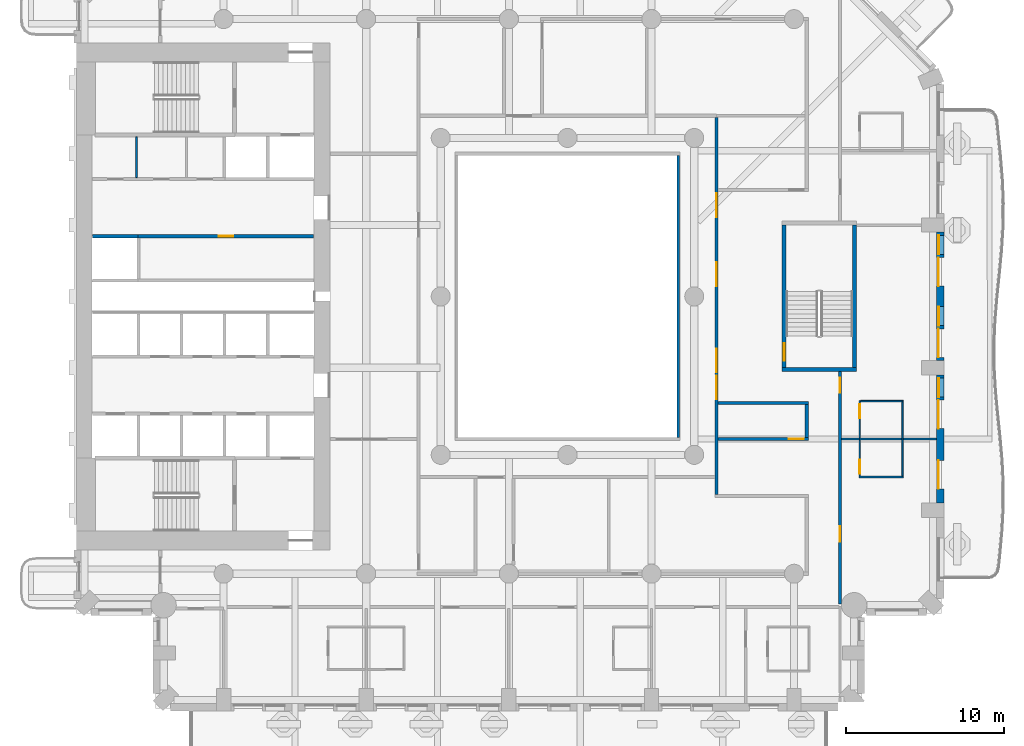
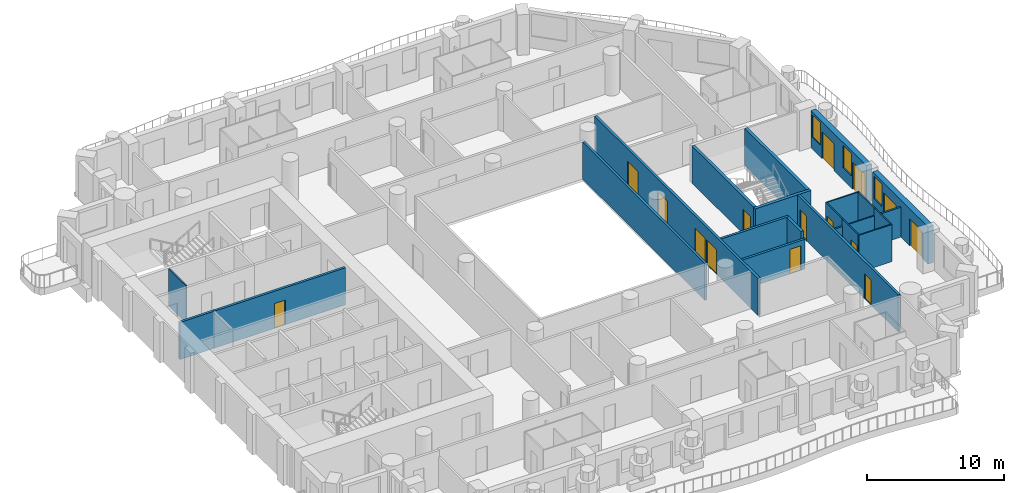
# One storey, part 6 of 19: 23 walls, 15 doors, 3 windows, 18 openings.
"""IFC4 building model written with IfcOpenShell, lengths in metres."""

from ifc_helpers import new_model, si_unit, direction, frame, frame_2d, origin, place, context, subcontext, project, spatial, rectangle, extrude, material, layer, layer_set, type_object, element, fill, save


model = new_model("IFC4")

# Units and contexts
model_context = context("Model", 3, precision=1e-05, world=origin(), true_north=direction((0.0, 1.0)))
body_context = subcontext(model_context, "Body", "Model", "MODEL_VIEW")
ifc_project = project(units=[si_unit("LENGTHUNIT", "METRE"), si_unit("AREAUNIT", "SQUARE_METRE"), si_unit("VOLUMEUNIT", "CUBIC_METRE"), si_unit("PLANEANGLEUNIT", "RADIAN"), si_unit("MASSUNIT", "GRAM", prefix="KILO")], contexts=[model_context])

# Site, building, storey
site_placement = place(None, origin())
site = spatial("IfcSite", under=ifc_project, at=site_placement, CompositionType="ELEMENT")
building_placement = place(site_placement, origin())
building = spatial("IfcBuilding", under=site, at=building_placement, Name="Cypress Arch Tower", CompositionType="ELEMENT")
storey_placement = place(building_placement, frame((0.0, 0.0, 69.89990234375)))
storey = spatial("IfcBuildingStorey", under=building, at=storey_placement, Name="L11", CompositionType="ELEMENT", Elevation=69.89990234375)

# Wall, openings, doors, window
ifc_material_1 = material(Name="Brick (red buff blend)", Category="masonry")
ifc_layer_1 = layer(ifc_material_1, 0.449951171875)
ifc_layer_set_1 = layer_set([ifc_layer_1], Name="Brick pier and spandrel wall BW450")
wall_type_1 = type_object("IfcWallType", Name="Brick pier and spandrel wall BW450", PredefinedType="SOLIDWALL", material=ifc_layer_set_1)
wall_1_placement = place(storey_placement, frame((24.52490234375, -13.050048828125, 0.0), z_axis=(0.0, 0.0, 1.0), x_axis=(0.0, 1.0, 0.0)))
wall_1 = element("IfcWall", 1, at=wall_1_placement, inside=storey, type_object=wall_type_1, Name="Brick wall L11 A06.1", PredefinedType="SOLIDWALL", context=body_context, shape_type="SweptSolid", body=[
    extrude(rectangle(XDim=8.10009765625, YDim=0.449951171875, at=frame_2d((4.050048828125, 0.0))), origin(), (0.0, 0.0, 1.0), 3.300048828125),
])
opening_1_placement = place(wall_1_placement, frame((0.89990234375, 0.0, 0.0)))
opening_1 = element("IfcOpeningElement", 2, at=opening_1_placement, cuts=wall_1, Name="Opening D-L11-A06.1.1", PredefinedType="OPENING", context=body_context, shape_type="SweptSolid", body=[
    extrude(rectangle(XDim=1.800048828125, YDim=2.39990234375, at=frame_2d((0.89990234375, 1.199951171875))), frame((0.0, 0.23486328125, 0.0), z_axis=(0.0, -1.0, 0.0), x_axis=(1.0, 0.0, 0.0)), (0.0, 0.0, 1.0), 0.469970703125),
])
opening_2_placement = place(wall_1_placement, frame((4.699951171875, 0.0, 0.0)))
opening_2 = element("IfcOpeningElement", 3, at=opening_2_placement, cuts=wall_1, Name="Opening D-L11-A06.1.2", PredefinedType="OPENING", context=body_context, shape_type="SweptSolid", body=[
    extrude(rectangle(XDim=1.800048828125, YDim=2.39990234375, at=frame_2d((0.89990234375, 1.199951171875))), frame((0.0, 0.23486328125, 0.0), z_axis=(0.0, -1.0, 0.0), x_axis=(1.0, 0.0, 0.0)), (0.0, 0.0, 1.0), 0.469970703125),
])
opening_3_placement = place(wall_1_placement, frame((6.699951171875, 0.0, 1.050048828125)))
opening_3 = element("IfcOpeningElement", 4, at=opening_3_placement, cuts=wall_1, Name="Opening W120HD", PredefinedType="OPENING", context=body_context, shape_type="SweptSolid", body=[
    extrude(rectangle(XDim=1.199951171875, YDim=2.0, at=frame_2d((0.60009765625, 1.0))), frame((0.0, 0.23486328125, 0.0), z_axis=(0.0, -1.0, 0.0), x_axis=(1.0, 0.0, 0.0)), (0.0, 0.0, 1.0), 0.469970703125),
])
ifc_material_2 = material(Name="Anodised aluminium, bronze finish, laminated low-emissivity double glazing, large-missile impact rated", Category="aluminium")
door_type_1 = type_object("IfcDoorType", Name="Balcony sliding door 1800x2400", OperationType="SLIDING_TO_LEFT", PredefinedType="DOOR", material=ifc_material_2)
door_1_placement = place(opening_1_placement, origin())
door_1 = element("IfcDoor", 5, at=door_1_placement, inside=storey, type_object=door_type_1, Name="Balcony door L11 A06.1.1", OperationType="SLIDING_TO_LEFT", OverallHeight=2.39990234375, OverallWidth=1.800048828125, PredefinedType="DOOR", context=body_context, shape_type="SweptSolid", body=[
    extrude(rectangle(XDim=1.800048828125, YDim=2.39990234375, at=frame_2d((0.89990234375, 1.199951171875))), frame((0.0, 0.1298828125, 0.0), z_axis=(0.0, -1.0, 0.0), x_axis=(1.0, 0.0, 0.0)), (0.0, 0.0, 1.0), 0.050048828125),
])
fill(opening_1, door_1)
door_2_placement = place(opening_2_placement, origin())
door_2 = element("IfcDoor", 6, at=door_2_placement, inside=storey, type_object=door_type_1, Name="Balcony door L11 A06.1.2", OperationType="SLIDING_TO_LEFT", OverallHeight=2.39990234375, OverallWidth=1.800048828125, PredefinedType="DOOR", context=body_context, shape_type="SweptSolid", body=[
    extrude(rectangle(XDim=1.800048828125, YDim=2.39990234375, at=frame_2d((0.89990234375, 1.199951171875))), frame((0.0, 0.1298828125, 0.0), z_axis=(0.0, -1.0, 0.0), x_axis=(1.0, 0.0, 0.0)), (0.0, 0.0, 1.0), 0.050048828125),
])
fill(opening_2, door_2)
ifc_material_3 = material(Name="Anodised aluminium, bronze finish, laminated low-emissivity double glazing, large-missile impact rated", Category="aluminium")
window_type = type_object("IfcWindowType", Name="Window Hotel 1200x2000 debris-rated", PartitioningType="SINGLE_PANEL", PredefinedType="WINDOW", material=ifc_material_3)
window_1_placement = place(opening_3_placement, origin())
window_1 = element("IfcWindow", 7, at=window_1_placement, inside=storey, type_object=window_type, Name="Window L11 A06.1.2", OverallHeight=2.0, OverallWidth=1.199951171875, PartitioningType="SINGLE_PANEL", PredefinedType="WINDOW", context=body_context, shape_type="SweptSolid", body=[
    extrude(rectangle(XDim=1.199951171875, YDim=2.0, at=frame_2d((0.60009765625, 1.0))), frame((0.0, 0.135009765625, 0.0), z_axis=(0.0, -1.0, 0.0), x_axis=(1.0, 0.0, 0.0)), (0.0, 0.0, 1.0), 0.06005859375),
])
fill(opening_3, window_1)

# Wall, openings, doors, windows
wall_2_placement = place(storey_placement, frame((24.52490234375, -4.050048828125, 0.0), z_axis=(0.0, 0.0, 1.0), x_axis=(0.0, 1.0, 0.0)))
wall_2 = element("IfcWall", 8, at=wall_2_placement, inside=storey, type_object=wall_type_1, Name="Brick wall L11 A06.2", PredefinedType="SOLIDWALL", context=body_context, shape_type="SweptSolid", body=[
    extrude(rectangle(XDim=8.10009765625, YDim=0.449951171875, at=frame_2d((4.050048828125, 0.0))), origin(), (0.0, 0.0, 1.0), 3.300048828125),
])
opening_4_placement = place(wall_2_placement, frame((0.199951171875, 0.0, 0.0)))
opening_4 = element("IfcOpeningElement", 9, at=opening_4_placement, cuts=wall_2, Name="Opening D-L11-A06.2.1", PredefinedType="OPENING", context=body_context, shape_type="SweptSolid", body=[
    extrude(rectangle(XDim=1.800048828125, YDim=2.39990234375, at=frame_2d((0.89990234375, 1.199951171875))), frame((0.0, 0.23486328125, 0.0), z_axis=(0.0, -1.0, 0.0), x_axis=(1.0, 0.0, 0.0)), (0.0, 0.0, 1.0), 0.469970703125),
])
opening_5_placement = place(wall_2_placement, frame((2.199951171875, 0.0, 1.050048828125)))
opening_5 = element("IfcOpeningElement", 10, at=opening_5_placement, cuts=wall_2, Name="Opening W120HD", PredefinedType="OPENING", context=body_context, shape_type="SweptSolid", body=[
    extrude(rectangle(XDim=1.199951171875, YDim=2.0, at=frame_2d((0.60009765625, 1.0))), frame((0.0, 0.23486328125, 0.0), z_axis=(0.0, -1.0, 0.0), x_axis=(1.0, 0.0, 0.0)), (0.0, 0.0, 1.0), 0.469970703125),
])
opening_6_placement = place(wall_2_placement, frame((4.699951171875, 0.0, 0.0)))
opening_6 = element("IfcOpeningElement", 11, at=opening_6_placement, cuts=wall_2, Name="Opening D-L11-A06.2.2", PredefinedType="OPENING", context=body_context, shape_type="SweptSolid", body=[
    extrude(rectangle(XDim=1.800048828125, YDim=2.39990234375, at=frame_2d((0.89990234375, 1.199951171875))), frame((0.0, 0.23486328125, 0.0), z_axis=(0.0, -1.0, 0.0), x_axis=(1.0, 0.0, 0.0)), (0.0, 0.0, 1.0), 0.469970703125),
])
opening_7_placement = place(wall_2_placement, frame((6.699951171875, 0.0, 1.050048828125)))
opening_7 = element("IfcOpeningElement", 12, at=opening_7_placement, cuts=wall_2, Name="Opening W120HD", PredefinedType="OPENING", context=body_context, shape_type="SweptSolid", body=[
    extrude(rectangle(XDim=1.199951171875, YDim=2.0, at=frame_2d((0.60009765625, 1.0))), frame((0.0, 0.23486328125, 0.0), z_axis=(0.0, -1.0, 0.0), x_axis=(1.0, 0.0, 0.0)), (0.0, 0.0, 1.0), 0.469970703125),
])
door_3_placement = place(opening_4_placement, origin())
door_3 = element("IfcDoor", 13, at=door_3_placement, inside=storey, type_object=door_type_1, Name="Balcony door L11 A06.2.1", OperationType="SLIDING_TO_LEFT", OverallHeight=2.39990234375, OverallWidth=1.800048828125, PredefinedType="DOOR", context=body_context, shape_type="SweptSolid", body=[
    extrude(rectangle(XDim=1.800048828125, YDim=2.39990234375, at=frame_2d((0.89990234375, 1.199951171875))), frame((0.0, 0.1298828125, 0.0), z_axis=(0.0, -1.0, 0.0), x_axis=(1.0, 0.0, 0.0)), (0.0, 0.0, 1.0), 0.050048828125),
])
fill(opening_4, door_3)
door_4_placement = place(opening_6_placement, origin())
door_4 = element("IfcDoor", 14, at=door_4_placement, inside=storey, type_object=door_type_1, Name="Balcony door L11 A06.2.2", OperationType="SLIDING_TO_LEFT", OverallHeight=2.39990234375, OverallWidth=1.800048828125, PredefinedType="DOOR", context=body_context, shape_type="SweptSolid", body=[
    extrude(rectangle(XDim=1.800048828125, YDim=2.39990234375, at=frame_2d((0.89990234375, 1.199951171875))), frame((0.0, 0.1298828125, 0.0), z_axis=(0.0, -1.0, 0.0), x_axis=(1.0, 0.0, 0.0)), (0.0, 0.0, 1.0), 0.050048828125),
])
fill(opening_6, door_4)
window_2_placement = place(opening_5_placement, origin())
window_2 = element("IfcWindow", 15, at=window_2_placement, inside=storey, type_object=window_type, Name="Window L11 A06.2.1", OverallHeight=2.0, OverallWidth=1.199951171875, PartitioningType="SINGLE_PANEL", PredefinedType="WINDOW", context=body_context, shape_type="SweptSolid", body=[
    extrude(rectangle(XDim=1.199951171875, YDim=2.0, at=frame_2d((0.60009765625, 1.0))), frame((0.0, 0.135009765625, 0.0), z_axis=(0.0, -1.0, 0.0), x_axis=(1.0, 0.0, 0.0)), (0.0, 0.0, 1.0), 0.06005859375),
])
fill(opening_5, window_2)
window_3_placement = place(opening_7_placement, origin())
window_3 = element("IfcWindow", 16, at=window_3_placement, inside=storey, type_object=window_type, Name="Window L11 A06.2.2", OverallHeight=2.0, OverallWidth=1.199951171875, PartitioningType="SINGLE_PANEL", PredefinedType="WINDOW", context=body_context, shape_type="SweptSolid", body=[
    extrude(rectangle(XDim=1.199951171875, YDim=2.0, at=frame_2d((0.60009765625, 1.0))), frame((0.0, 0.135009765625, 0.0), z_axis=(0.0, -1.0, 0.0), x_axis=(1.0, 0.0, 0.0)), (0.0, 0.0, 1.0), 0.06005859375),
])
fill(opening_7, window_3)

# Wall
ifc_material_4 = material(Name="Concrete blockwork, plastered, rated", Category="masonry")
ifc_layer_2 = layer(ifc_material_4, 0.199951171875)
ifc_layer_set_2 = layer_set([ifc_layer_2], Name="Corridor wall FW200")
wall_type_2 = type_object("IfcWallType", Name="Corridor wall FW200", PredefinedType="PARTITIONING", material=ifc_layer_set_2)
wall_3_placement = place(storey_placement, frame((8.0, -8.89990234375, 0.0), z_axis=(0.0, 0.0, 1.0), x_axis=(0.0, 1.0, 0.0)))
element("IfcWall", 17, at=wall_3_placement, inside=storey, type_object=wall_type_2, Name="Corridor wall", PredefinedType="PARTITIONING", context=body_context, shape_type="SweptSolid", body=[
    extrude(rectangle(XDim=17.7998046875, YDim=0.199951171875, at=frame_2d((8.89990234375, 0.0))), origin(), (0.0, 0.0, 1.0), 3.300048828125),
])

# Wall, openings, doors
wall_4_placement = place(storey_placement, frame((10.39892578125, -12.5, 0.0), z_axis=(0.0, 0.0, 1.0), x_axis=(0.0, 1.0, 0.0)))
wall_4 = element("IfcWall", 18, at=wall_4_placement, inside=storey, type_object=wall_type_2, Name="Corridor wall", PredefinedType="PARTITIONING", context=body_context, shape_type="SweptSolid", body=[
    extrude(rectangle(XDim=23.800048828125, YDim=0.199951171875, at=frame_2d((11.89990234375, 0.0))), origin(), (0.0, 0.0, 1.0), 3.300048828125),
])
opening_8_placement = place(wall_4_placement, frame((6.0, 0.0, 0.0)))
opening_8 = element("IfcOpeningElement", 19, at=opening_8_placement, cuts=wall_4, Name="Opening D04", PredefinedType="OPENING", context=body_context, shape_type="SweptSolid", body=[
    extrude(rectangle(XDim=1.5, YDim=2.199951171875, at=frame_2d((0.75, 1.10009765625))), frame((0.0, 0.10986328125, 0.0), z_axis=(0.0, -1.0, 0.0), x_axis=(1.0, 0.0, 0.0)), (0.0, 0.0, 1.0), 0.219970703125),
])
opening_9_placement = place(wall_4_placement, frame((17.5, 0.0, 0.0)))
opening_9 = element("IfcOpeningElement", 20, at=opening_9_placement, cuts=wall_4, Name="Opening D04", PredefinedType="OPENING", context=body_context, shape_type="SweptSolid", body=[
    extrude(rectangle(XDim=1.5, YDim=2.199951171875, at=frame_2d((0.75, 1.10009765625))), frame((0.0, 0.10986328125, 0.0), z_axis=(0.0, -1.0, 0.0), x_axis=(1.0, 0.0, 0.0)), (0.0, 0.0, 1.0), 0.219970703125),
])
opening_10_placement = place(wall_4_placement, frame((7.699951171875, 0.0, 0.0)))
opening_10 = element("IfcOpeningElement", 21, at=opening_10_placement, cuts=wall_4, Name="Opening D04", PredefinedType="OPENING", context=body_context, shape_type="SweptSolid", body=[
    extrude(rectangle(XDim=1.5, YDim=2.199951171875, at=frame_2d((0.75, 1.10009765625))), frame((0.0, 0.10986328125, 0.0), z_axis=(0.0, -1.0, 0.0), x_axis=(1.0, 0.0, 0.0)), (0.0, 0.0, 1.0), 0.219970703125),
])
opening_11_placement = place(wall_4_placement, frame((13.14990234375, 0.0, 0.0)))
opening_11 = element("IfcOpeningElement", 22, at=opening_11_placement, cuts=wall_4, Name="Opening D04", PredefinedType="OPENING", context=body_context, shape_type="SweptSolid", body=[
    extrude(rectangle(XDim=1.5, YDim=2.199951171875, at=frame_2d((0.75, 1.10009765625))), frame((0.0, 0.10986328125, 0.0), z_axis=(0.0, -1.0, 0.0), x_axis=(1.0, 0.0, 0.0)), (0.0, 0.0, 1.0), 0.219970703125),
])
ifc_material_5 = material(Name="Timber double door", Category="wood")
door_type_2 = type_object("IfcDoorType", Name="Double door D04 1500x2200", OperationType="DOUBLE_DOOR_SINGLE_SWING", PredefinedType="DOOR", material=ifc_material_5)
door_5_placement = place(opening_8_placement, origin())
door_5 = element("IfcDoor", 23, at=door_5_placement, inside=storey, type_object=door_type_2, Name="Double door", OperationType="DOUBLE_DOOR_SINGLE_SWING", OverallHeight=2.199951171875, OverallWidth=1.5, PredefinedType="DOOR", context=body_context, shape_type="SweptSolid", body=[
    extrude(rectangle(XDim=1.5, YDim=2.199951171875, at=frame_2d((0.75, 1.10009765625))), frame((0.0, 0.02490234375, 0.0), z_axis=(0.0, -1.0, 0.0), x_axis=(1.0, 0.0, 0.0)), (0.0, 0.0, 1.0), 0.050048828125),
])
fill(opening_8, door_5)
door_6_placement = place(opening_9_placement, origin())
door_6 = element("IfcDoor", 24, at=door_6_placement, inside=storey, type_object=door_type_2, Name="Double door", OperationType="DOUBLE_DOOR_SINGLE_SWING", OverallHeight=2.199951171875, OverallWidth=1.5, PredefinedType="DOOR", context=body_context, shape_type="SweptSolid", body=[
    extrude(rectangle(XDim=1.5, YDim=2.199951171875, at=frame_2d((0.75, 1.10009765625))), frame((0.0, 0.02490234375, 0.0), z_axis=(0.0, -1.0, 0.0), x_axis=(1.0, 0.0, 0.0)), (0.0, 0.0, 1.0), 0.050048828125),
])
fill(opening_9, door_6)
door_7_placement = place(opening_10_placement, origin())
door_7 = element("IfcDoor", 25, at=door_7_placement, inside=storey, type_object=door_type_2, Name="Double door", OperationType="DOUBLE_DOOR_SINGLE_SWING", OverallHeight=2.199951171875, OverallWidth=1.5, PredefinedType="DOOR", context=body_context, shape_type="SweptSolid", body=[
    extrude(rectangle(XDim=1.5, YDim=2.199951171875, at=frame_2d((0.75, 1.10009765625))), frame((0.0, 0.02490234375, 0.0), z_axis=(0.0, -1.0, 0.0), x_axis=(1.0, 0.0, 0.0)), (0.0, 0.0, 1.0), 0.050048828125),
])
fill(opening_10, door_7)
door_8_placement = place(opening_11_placement, origin())
door_8 = element("IfcDoor", 26, at=door_8_placement, inside=storey, type_object=door_type_2, Name="Double door", OperationType="DOUBLE_DOOR_SINGLE_SWING", OverallHeight=2.199951171875, OverallWidth=1.5, PredefinedType="DOOR", context=body_context, shape_type="SweptSolid", body=[
    extrude(rectangle(XDim=1.5, YDim=2.199951171875, at=frame_2d((0.75, 1.10009765625))), frame((0.0, 0.02490234375, 0.0), z_axis=(0.0, -1.0, 0.0), x_axis=(1.0, 0.0, 0.0)), (0.0, 0.0, 1.0), 0.050048828125),
])
fill(opening_11, door_8)

# Wall, opening, door
wall_5_placement = place(storey_placement, frame((10.5, -9.0, 0.0), z_axis=(0.0, 0.0, 1.0), x_axis=(1.0, 0.0, 0.0)))
wall_5 = element("IfcWall", 27, at=wall_5_placement, inside=storey, type_object=wall_type_2, Name="Corridor wall", PredefinedType="PARTITIONING", context=body_context, shape_type="SweptSolid", body=[
    extrude(rectangle(XDim=5.699951171875, YDim=0.199951171875, at=frame_2d((2.85009765625, 0.0))), origin(), (0.0, 0.0, 1.0), 2.650146484375),
])
opening_12_placement = place(wall_5_placement, frame((4.449951171875, 0.0, 0.0)))
opening_12 = element("IfcOpeningElement", 28, at=opening_12_placement, cuts=wall_5, Name="Opening D02", PredefinedType="OPENING", context=body_context, shape_type="SweptSolid", body=[
    extrude(rectangle(XDim=0.949951171875, YDim=2.199951171875, at=frame_2d((0.47509765625, 1.10009765625))), frame((0.0, 0.10986328125, 0.0), z_axis=(0.0, -1.0, 0.0), x_axis=(1.0, 0.0, 0.0)), (0.0, 0.0, 1.0), 0.219970703125),
])
ifc_material_6 = material(Name="Timber flush door, fire resisting", Category="wood")
door_type_3 = type_object("IfcDoorType", Name="Room door D02 950x2200", OperationType="SINGLE_SWING_LEFT", PredefinedType="DOOR", material=ifc_material_6)
door_9_placement = place(opening_12_placement, origin())
door_9 = element("IfcDoor", 29, at=door_9_placement, inside=storey, type_object=door_type_3, Name="Room door", OperationType="SINGLE_SWING_RIGHT", OverallHeight=2.199951171875, OverallWidth=0.949951171875, PredefinedType="DOOR", context=body_context, shape_type="SweptSolid", body=[
    extrude(rectangle(XDim=0.949951171875, YDim=2.199951171875, at=frame_2d((0.47509765625, 1.10009765625))), frame((0.0, 0.02490234375, 0.0), z_axis=(0.0, -1.0, 0.0), x_axis=(1.0, 0.0, 0.0)), (0.0, 0.0, 1.0), 0.050048828125),
])
fill(opening_12, door_9)

# Walls
wall_6_placement = place(storey_placement, frame((10.5, -6.72509765625, 0.0), z_axis=(0.0, 0.0, 1.0), x_axis=(1.0, 0.0, 0.0)))
element("IfcWall", 30, at=wall_6_placement, inside=storey, type_object=wall_type_2, Name="Corridor wall", PredefinedType="PARTITIONING", context=body_context, shape_type="SweptSolid", body=[
    extrude(rectangle(XDim=5.699951171875, YDim=0.199951171875, at=frame_2d((2.85009765625, 0.0))), origin(), (0.0, 0.0, 1.0), 3.300048828125),
])
wall_7_placement = place(storey_placement, frame((16.10009765625, -8.89990234375, 0.0), z_axis=(0.0, 0.0, 1.0), x_axis=(0.0, 1.0, 0.0)))
element("IfcWall", 31, at=wall_7_placement, inside=storey, type_object=wall_type_2, Name="Corridor wall", PredefinedType="PARTITIONING", context=body_context, shape_type="SweptSolid", body=[
    extrude(rectangle(XDim=2.074951171875, YDim=0.199951171875, at=frame_2d((1.03759765625, 0.0))), origin(), (0.0, 0.0, 1.0), 3.300048828125),
])

# Wall, openings, doors
wall_8_placement = place(storey_placement, frame((18.199951171875, -19.419921875, 0.0), z_axis=(0.0, 0.0, 1.0), x_axis=(0.0, 1.0, 0.0)))
wall_8 = element("IfcWall", 32, at=wall_8_placement, inside=storey, type_object=wall_type_2, Name="Corridor wall", PredefinedType="PARTITIONING", context=body_context, shape_type="SweptSolid", body=[
    extrude(rectangle(XDim=14.669921875, YDim=0.199951171875, at=frame_2d((7.3349609375, 0.0))), origin(), (0.0, 0.0, 1.0), 3.300048828125),
])
opening_13_placement = place(wall_8_placement, frame((3.949951171875, 0.0, 0.0)))
opening_13 = element("IfcOpeningElement", 33, at=opening_13_placement, cuts=wall_8, Name="Opening D02", PredefinedType="OPENING", context=body_context, shape_type="SweptSolid", body=[
    extrude(rectangle(XDim=0.949951171875, YDim=2.199951171875, at=frame_2d((0.47509765625, 1.10009765625))), frame((0.0, 0.10986328125, 0.0), z_axis=(0.0, -1.0, 0.0), x_axis=(1.0, 0.0, 0.0)), (0.0, 0.0, 1.0), 0.219970703125),
])
opening_14_placement = place(wall_8_placement, frame((13.35009765625, 0.0, 0.0)))
opening_14 = element("IfcOpeningElement", 34, at=opening_14_placement, cuts=wall_8, Name="Opening D02", PredefinedType="OPENING", context=body_context, shape_type="SweptSolid", body=[
    extrude(rectangle(XDim=0.949951171875, YDim=2.199951171875, at=frame_2d((0.47509765625, 1.10009765625))), frame((0.0, 0.10986328125, 0.0), z_axis=(0.0, -1.0, 0.0), x_axis=(1.0, 0.0, 0.0)), (0.0, 0.0, 1.0), 0.219970703125),
])
door_10_placement = place(opening_13_placement, origin())
door_10 = element("IfcDoor", 35, at=door_10_placement, inside=storey, type_object=door_type_3, Name="Room door", OperationType="SINGLE_SWING_RIGHT", OverallHeight=2.199951171875, OverallWidth=0.949951171875, PredefinedType="DOOR", context=body_context, shape_type="SweptSolid", body=[
    extrude(rectangle(XDim=0.949951171875, YDim=2.199951171875, at=frame_2d((0.47509765625, 1.10009765625))), frame((0.0, 0.02490234375, 0.0), z_axis=(0.0, -1.0, 0.0), x_axis=(1.0, 0.0, 0.0)), (0.0, 0.0, 1.0), 0.050048828125),
])
fill(opening_13, door_10)
door_11_placement = place(opening_14_placement, origin())
door_11 = element("IfcDoor", 36, at=door_11_placement, inside=storey, type_object=door_type_3, Name="Room door", OperationType="SINGLE_SWING_LEFT", OverallHeight=2.199951171875, OverallWidth=0.949951171875, PredefinedType="DOOR", context=body_context, shape_type="SweptSolid", body=[
    extrude(rectangle(XDim=0.949951171875, YDim=2.199951171875, at=frame_2d((0.47509765625, 1.10009765625))), frame((0.0, 0.02490234375, 0.0), z_axis=(0.0, -1.0, 0.0), x_axis=(1.0, 0.0, 0.0)), (0.0, 0.0, 1.0), 0.050048828125),
])
fill(opening_14, door_11)

# Walls
ifc_material_7 = material(Name="Blockwork, plastered both sides", Category="masonry")
ifc_layer_3 = layer(ifc_material_7, 0.14990234375)
ifc_layer_set_3 = layer_set([ifc_layer_3], Name="Partition PW150")
wall_type_3 = type_object("IfcWallType", Name="Partition PW150", PredefinedType="PARTITIONING", material=ifc_layer_set_3)
wall_9_placement = place(storey_placement, frame((18.300048828125, -9.0, 0.0), z_axis=(0.0, 0.0, 1.0), x_axis=(1.0, 0.0, 0.0)))
element("IfcWall", 37, at=wall_9_placement, inside=storey, type_object=wall_type_3, Name="Partition", PredefinedType="PARTITIONING", context=body_context, shape_type="SweptSolid", body=[
    extrude(rectangle(XDim=1.1298828125, YDim=0.14990234375, at=frame_2d((0.56494140625, 0.0))), origin(), (0.0, 0.0, 1.0), 2.650146484375),
])
wall_10_placement = place(storey_placement, frame((22.169921875, -9.0, 0.0), z_axis=(0.0, 0.0, 1.0), x_axis=(1.0, 0.0, 0.0)))
element("IfcWall", 38, at=wall_10_placement, inside=storey, type_object=wall_type_3, Name="Partition", PredefinedType="PARTITIONING", context=body_context, shape_type="SweptSolid", body=[
    extrude(rectangle(XDim=2.130126953125, YDim=0.14990234375, at=frame_2d((1.06494140625, 0.0))), origin(), (0.0, 0.0, 1.0), 2.650146484375),
])

# Wall, opening, door
ifc_material_8 = material(Name="Reinforced blockwork, plastered, rated", Category="masonry")
ifc_layer_4 = layer(ifc_material_8, 0.199951171875)
ifc_layer_set_4 = layer_set([ifc_layer_4], Name="Plant and riser wall PL200")
wall_type_4 = type_object("IfcWallType", Name="Plant and riser wall PL200", PredefinedType="PARTITIONING", material=ifc_layer_set_4)
wall_11_placement = place(storey_placement, frame((-26.10009765625, 3.800048828125, 0.0), z_axis=(0.0, 0.0, 1.0), x_axis=(1.0, 0.0, 0.0)))
wall_11 = element("IfcWall", 39, at=wall_11_placement, inside=storey, type_object=wall_type_4, Name="Plant and riser wall", PredefinedType="PARTITIONING", context=body_context, shape_type="SweptSolid", body=[
    extrude(rectangle(XDim=11.070068359375, YDim=0.199951171875, at=frame_2d((5.53515625, 0.0))), origin(), (0.0, 0.0, 1.0), 3.300048828125),
])
opening_15_placement = place(wall_11_placement, frame((5.10009765625, 0.0, 0.0)))
opening_15 = element("IfcOpeningElement", 40, at=opening_15_placement, cuts=wall_11, Name="Opening D05", PredefinedType="OPENING", context=body_context, shape_type="SweptSolid", body=[
    extrude(rectangle(XDim=0.89990234375, YDim=2.199951171875, at=frame_2d((0.449951171875, 1.10009765625))), frame((0.0, 0.10986328125, 0.0), z_axis=(0.0, -1.0, 0.0), x_axis=(1.0, 0.0, 0.0)), (0.0, 0.0, 1.0), 0.219970703125),
])
ifc_material_9 = material(Name="Timber flush door", Category="wood")
door_type_4 = type_object("IfcDoorType", Name="Service door D05 900x2200", OperationType="SINGLE_SWING_LEFT", PredefinedType="DOOR", material=ifc_material_9)
door_12_placement = place(opening_15_placement, origin())
door_12 = element("IfcDoor", 41, at=door_12_placement, inside=storey, type_object=door_type_4, Name="Service door", OperationType="SINGLE_SWING_LEFT", OverallHeight=2.199951171875, OverallWidth=0.89990234375, PredefinedType="DOOR", context=body_context, shape_type="SweptSolid", body=[
    extrude(rectangle(XDim=0.89990234375, YDim=2.199951171875, at=frame_2d((0.449951171875, 1.10009765625))), frame((0.0, 0.02490234375, 0.0), z_axis=(0.0, -1.0, 0.0), x_axis=(1.0, 0.0, 0.0)), (0.0, 0.0, 1.0), 0.050048828125),
])
fill(opening_15, door_12)

# Wall
ifc_material_10 = material(Name="Concrete C50/60", Category="concrete")
ifc_layer_5 = layer(ifc_material_10, 0.199951171875)
ifc_layer_set_5 = layer_set([ifc_layer_5], Name="Shaft wall SH200")
wall_type_5 = type_object("IfcWallType", Name="Shaft wall SH200", PredefinedType="SHEAR", material=ifc_layer_set_5)
wall_12_placement = place(storey_placement, frame((-28.969970703125, 3.800048828125, 0.0), z_axis=(0.0, 0.0, 1.0), x_axis=(1.0, 0.0, 0.0)))
element("IfcWall", 42, at=wall_12_placement, inside=storey, type_object=wall_type_5, Name="Shaft wall", PredefinedType="SHEAR", context=body_context, shape_type="SweptSolid", body=[
    extrude(rectangle(XDim=2.869873046875, YDim=0.199951171875, at=frame_2d((1.43505859375, 0.0))), origin(), (0.0, 0.0, 1.0), 3.300048828125),
])

# Wall, opening, door
ifc_material_11 = material(Name="Concrete C50/60", Category="concrete")
ifc_layer_6 = layer(ifc_material_11, 0.25)
ifc_layer_set_6 = layer_set([ifc_layer_6], Name="Stair enclosure wall SW250")
wall_type_6 = type_object("IfcWallType", Name="Stair enclosure wall SW250", PredefinedType="SHEAR", material=ifc_layer_set_6)
wall_13_placement = place(storey_placement, frame((14.675048828125, -4.5, 0.0), z_axis=(0.0, 0.0, 1.0), x_axis=(0.0, 1.0, 0.0)))
wall_13 = element("IfcWall", 43, at=wall_13_placement, inside=storey, type_object=wall_type_6, Name="Stair enclosure wall", PredefinedType="SHEAR", context=body_context, shape_type="SweptSolid", body=[
    extrude(rectangle(XDim=9.0, YDim=0.25, at=frame_2d((4.5, 0.0))), origin(), (0.0, 0.0, 1.0), 3.300048828125),
])
opening_16_placement = place(wall_13_placement, frame((0.449951171875, 0.0, 0.0)))
opening_16 = element("IfcOpeningElement", 44, at=opening_16_placement, cuts=wall_13, Name="Opening D06", PredefinedType="OPENING", context=body_context, shape_type="SweptSolid", body=[
    extrude(rectangle(XDim=1.10009765625, YDim=2.199951171875, at=frame_2d((0.550048828125, 1.10009765625))), frame((0.0, 0.135009765625, 0.0), z_axis=(0.0, -1.0, 0.0), x_axis=(1.0, 0.0, 0.0)), (0.0, 0.0, 1.0), 0.27001953125),
])
ifc_material_12 = material(Name="Steel door, fire resisting, panic bar", Category="steel")
door_type_5 = type_object("IfcDoorType", Name="Stair door D06 1100x2200", OperationType="SINGLE_SWING_LEFT", PredefinedType="DOOR", material=ifc_material_12)
door_13_placement = place(opening_16_placement, origin())
door_13 = element("IfcDoor", 45, at=door_13_placement, inside=storey, type_object=door_type_5, Name="Stair door", OperationType="SINGLE_SWING_RIGHT", OverallHeight=2.199951171875, OverallWidth=1.10009765625, PredefinedType="DOOR", context=body_context, shape_type="SweptSolid", body=[
    extrude(rectangle(XDim=1.10009765625, YDim=2.199951171875, at=frame_2d((0.550048828125, 1.10009765625))), frame((0.0, 0.02490234375, 0.0), z_axis=(0.0, -1.0, 0.0), x_axis=(1.0, 0.0, 0.0)), (0.0, 0.0, 1.0), 0.050048828125),
])
fill(opening_16, door_13)

# Walls
wall_14_placement = place(storey_placement, frame((14.550048828125, -4.625, 0.0), z_axis=(0.0, 0.0, 1.0), x_axis=(1.0, 0.0, 0.0)))
element("IfcWall", 46, at=wall_14_placement, inside=storey, type_object=wall_type_6, Name="Stair enclosure wall", PredefinedType="SHEAR", context=body_context, shape_type="SweptSolid", body=[
    extrude(rectangle(XDim=4.699951171875, YDim=0.25, at=frame_2d((2.35009765625, 0.0))), origin(), (0.0, 0.0, 1.0), 3.300048828125),
])
wall_15_placement = place(storey_placement, frame((19.125, -4.5, 0.0), z_axis=(0.0, 0.0, 1.0), x_axis=(0.0, 1.0, 0.0)))
element("IfcWall", 47, at=wall_15_placement, inside=storey, type_object=wall_type_6, Name="Stair enclosure wall", PredefinedType="SHEAR", context=body_context, shape_type="SweptSolid", body=[
    extrude(rectangle(XDim=9.0, YDim=0.25, at=frame_2d((4.5, 0.0))), origin(), (0.0, 0.0, 1.0), 3.300048828125),
])
ifc_material_13 = material(Name="Moisture resistant board on steel studs, tiled", Category="steel")
ifc_layer_7 = layer(ifc_material_13, 0.10009765625)
ifc_layer_set_7 = layer_set([ifc_layer_7], Name="Wet wall PW100")
wall_type_7 = type_object("IfcWallType", Name="Wet wall PW100", PredefinedType="PARTITIONING", material=ifc_layer_set_7)
wall_16_placement = place(storey_placement, frame((-26.199951171875, 7.5, 0.0), z_axis=(0.0, 0.0, 1.0), x_axis=(0.0, 1.0, 0.0)))
element("IfcWall", 48, at=wall_16_placement, inside=storey, type_object=wall_type_7, Name="Wet wall", PredefinedType="PARTITIONING", context=body_context, shape_type="SweptSolid", body=[
    extrude(rectangle(XDim=2.574951171875, YDim=0.10009765625, at=frame_2d((1.28759765625, 0.0))), origin(), (0.0, 0.0, 1.0), 3.300048828125),
])
wall_17_placement = place(storey_placement, frame((19.429931640625, -9.0, 0.0), z_axis=(0.0, 0.0, 1.0), x_axis=(1.0, 0.0, 0.0)))
element("IfcWall", 49, at=wall_17_placement, inside=storey, type_object=wall_type_7, Name="Wet wall", PredefinedType="PARTITIONING", context=body_context, shape_type="SweptSolid", body=[
    extrude(rectangle(XDim=2.739990234375, YDim=0.10009765625, at=frame_2d((1.3701171875, 0.0))), origin(), (0.0, 0.0, 1.0), 2.650146484375),
])

# Wall, opening, door
wall_18_placement = place(storey_placement, frame((19.449951171875, -11.345947265625, 0.0), z_axis=(0.0, 0.0, 1.0), x_axis=(0.0, 1.0, 0.0)))
wall_18 = element("IfcWall", 50, at=wall_18_placement, inside=storey, type_object=wall_type_7, Name="Wet wall", PredefinedType="PARTITIONING", context=body_context, shape_type="SweptSolid", body=[
    extrude(rectangle(XDim=2.345947265625, YDim=0.10009765625, at=frame_2d((1.1728515625, 0.0))), origin(), (0.0, 0.0, 1.0), 3.300048828125),
])
opening_17_placement = place(wall_18_placement, frame((0.14990234375, 0.0, 0.0)))
opening_17 = element("IfcOpeningElement", 51, at=opening_17_placement, cuts=wall_18, Name="Opening D03", PredefinedType="OPENING", context=body_context, shape_type="SweptSolid", body=[
    extrude(rectangle(XDim=0.89990234375, YDim=2.199951171875, at=frame_2d((0.449951171875, 1.10009765625))), frame((0.0, 0.06005859375, 0.0), z_axis=(0.0, -1.0, 0.0), x_axis=(1.0, 0.0, 0.0)), (0.0, 0.0, 1.0), 0.1201171875),
])
ifc_material_14 = material(Name="Timber flush door, moisture resistant", Category="wood")
door_type_6 = type_object("IfcDoorType", Name="Bathroom door D03 900x2200", OperationType="SINGLE_SWING_LEFT", PredefinedType="DOOR", material=ifc_material_14)
door_14_placement = place(opening_17_placement, origin())
door_14 = element("IfcDoor", 52, at=door_14_placement, inside=storey, type_object=door_type_6, Name="Bathroom door", OperationType="SINGLE_SWING_RIGHT", OverallHeight=2.199951171875, OverallWidth=0.89990234375, PredefinedType="DOOR", context=body_context, shape_type="SweptSolid", body=[
    extrude(rectangle(XDim=0.89990234375, YDim=2.199951171875, at=frame_2d((0.449951171875, 1.10009765625))), frame((0.0, 0.02490234375, 0.0), z_axis=(0.0, -1.0, 0.0), x_axis=(1.0, 0.0, 0.0)), (0.0, 0.0, 1.0), 0.050048828125),
])
fill(opening_17, door_14)

# Wall
wall_19_placement = place(storey_placement, frame((19.39990234375, -11.39599609375, 0.0), z_axis=(0.0, 0.0, 1.0), x_axis=(1.0, 0.0, 0.0)))
element("IfcWall", 53, at=wall_19_placement, inside=storey, type_object=wall_type_7, Name="Wet wall", PredefinedType="PARTITIONING", context=body_context, shape_type="SweptSolid", body=[
    extrude(rectangle(XDim=2.800048828125, YDim=0.10009765625, at=frame_2d((1.39990234375, 0.0))), origin(), (0.0, 0.0, 1.0), 3.300048828125),
])

# Wall, opening, door
wall_20_placement = place(storey_placement, frame((19.449951171875, -9.0, 0.0), z_axis=(0.0, 0.0, 1.0), x_axis=(0.000399241409, 0.999999920303, 0.0)))
wall_20 = element("IfcWall", 54, at=wall_20_placement, inside=storey, type_object=wall_type_7, Name="Wet wall", PredefinedType="PARTITIONING", context=body_context, shape_type="SweptSolid", body=[
    extrude(rectangle(XDim=2.446044921875, YDim=0.10009765625, at=frame_2d((1.22314453125, 0.0))), origin(), (0.0, 0.0, 1.0), 3.300048828125),
])
opening_18_placement = place(wall_20_placement, frame((1.300048828125, 0.0, 0.0)))
opening_18 = element("IfcOpeningElement", 55, at=opening_18_placement, cuts=wall_20, Name="Opening D03", PredefinedType="OPENING", context=body_context, shape_type="SweptSolid", body=[
    extrude(rectangle(XDim=0.89990234375, YDim=2.199951171875, at=frame_2d((0.449951171875, 1.10009765625))), frame((0.0, 0.06005859375, 0.0), z_axis=(0.0, -1.0, 0.0), x_axis=(1.0, 0.0, 0.0)), (0.0, 0.0, 1.0), 0.1201171875),
])
door_15_placement = place(opening_18_placement, origin())
door_15 = element("IfcDoor", 56, at=door_15_placement, inside=storey, type_object=door_type_6, Name="Bathroom door", OperationType="SINGLE_SWING_LEFT", OverallHeight=2.199951171875, OverallWidth=0.89990234375, PredefinedType="DOOR", context=body_context, shape_type="SweptSolid", body=[
    extrude(rectangle(XDim=0.89990234375, YDim=2.199951171875, at=frame_2d((0.449951171875, 1.10009765625))), frame((0.0, 0.02490234375, 0.0), z_axis=(0.0, -1.0, 0.0), x_axis=(1.0, 0.0, 0.0)), (0.0, 0.0, 1.0), 0.050048828125),
])
fill(opening_18, door_15)

# Walls
wall_21_placement = place(storey_placement, frame((19.5009765625, -6.60400390625, 0.0), z_axis=(0.0, 0.0, 1.0), x_axis=(0.999999934588, -0.000361696332, 0.0)))
element("IfcWall", 57, at=wall_21_placement, inside=storey, type_object=wall_type_7, Name="Wet wall", PredefinedType="PARTITIONING", context=body_context, shape_type="SweptSolid", body=[
    extrude(rectangle(XDim=2.699951171875, YDim=0.10009765625, at=frame_2d((1.35009765625, 0.0))), origin(), (0.0, 0.0, 1.0), 3.300048828125),
])
wall_22_placement = place(storey_placement, frame((22.14990234375, -11.345947265625, 0.0), z_axis=(0.0, 0.0, 1.0), x_axis=(0.0, 1.0, 0.0)))
element("IfcWall", 58, at=wall_22_placement, inside=storey, type_object=wall_type_7, Name="Wet wall", PredefinedType="PARTITIONING", context=body_context, shape_type="SweptSolid", body=[
    extrude(rectangle(XDim=2.345947265625, YDim=0.10009765625, at=frame_2d((1.1728515625, 0.0))), origin(), (0.0, 0.0, 1.0), 3.300048828125),
])
wall_23_placement = place(storey_placement, frame((22.14990234375, -9.0, 0.0), z_axis=(0.0, 0.0, 1.0), x_axis=(0.00041644973, 0.999999913285, 0.0)))
element("IfcWall", 59, at=wall_23_placement, inside=storey, type_object=wall_type_7, Name="Wet wall", PredefinedType="PARTITIONING", context=body_context, shape_type="SweptSolid", body=[
    extrude(rectangle(XDim=2.344970703125, YDim=0.10009765625, at=frame_2d((1.17236328125, 0.0))), origin(), (0.0, 0.0, 1.0), 3.300048828125),
])

save(model, "model.ifc")
